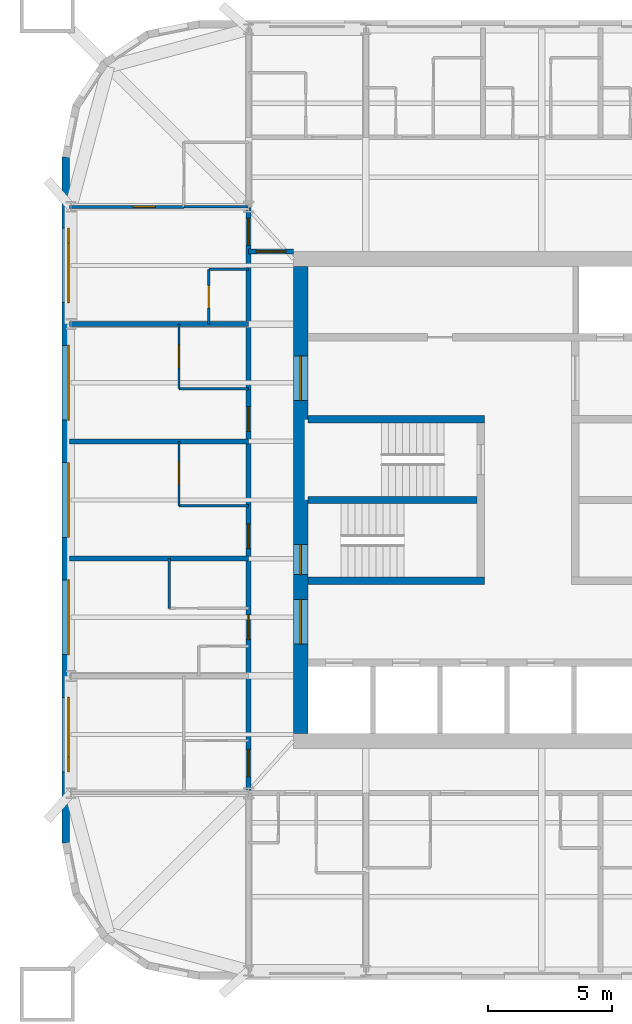
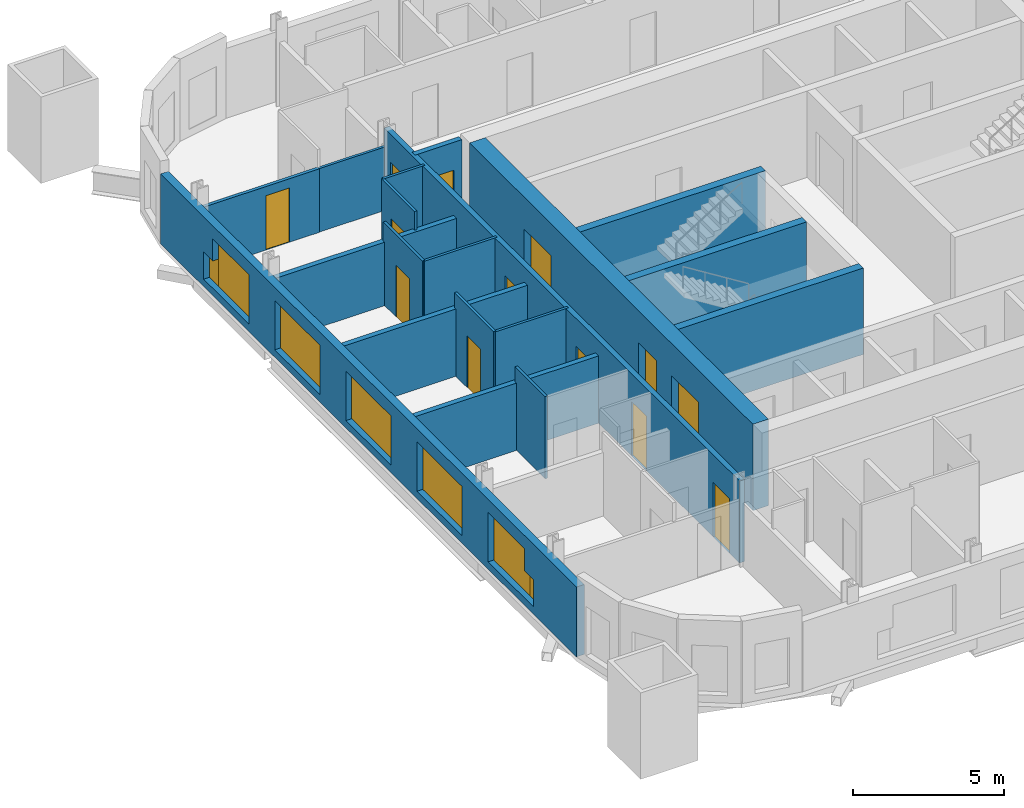
# One storey, part 4 of 9: 19 walls, 13 doors, 7 windows, 20 openings.
"""IFC4 building model written with IfcOpenShell, lengths in metres."""

import ifcopenshell
import ifcopenshell.guid

model = None  # the IFC model being written
_history = None  # IfcOwnerHistory: only IFC2X3 demands one
_inside = {}  # id of a spatial element -> (the spatial element, [elements in it])
_under = {}  # id of a project, library or spatial element -> (it, [spatial elements below it])
_declared = {}  # id of a project -> (the project, [libraries it declares])
_typed = {}  # id of a type object -> (the type object, [elements of that type])
_made_of = {}  # id of a material, layer set ... -> (it, [elements and type objects made of it])


def new_model(schema):
    """Start an empty IFC model of exactly this schema.

    Asked for "IFC4X3", IfcOpenShell would pick the latest addendum, in which some entities
    have other attributes; the version numbers below select the first issue.
    IFC2X3 requires an IfcOwnerHistory on every rooted entity: one is made here for all.
    """
    global model, _history
    if schema == "IFC4X3":
        model = ifcopenshell.file(schema_version=(4, 3, 0, 0))
    else:
        model = ifcopenshell.file(schema=schema)
    _inside.clear()
    _under.clear()
    _declared.clear()
    _typed.clear()
    _made_of.clear()
    _history = None
    if model.schema == "IFC2X3":
        org = make("IfcOrganization", Name="unknown")
        user = make(
            "IfcPersonAndOrganization",
            ThePerson=make("IfcPerson", FamilyName="unknown"),
            TheOrganization=org,
        )
        app = make(
            "IfcApplication",
            ApplicationDeveloper=org,
            Version="unknown",
            ApplicationFullName="unknown",
            ApplicationIdentifier="unknown",
        )
        _history = make(
            "IfcOwnerHistory",
            OwningUser=user,
            OwningApplication=app,
            ChangeAction="ADDED",
            CreationDate=0,
        )
    return model


def make(cls, **values):
    """One entity of the class cls with the attributes given. An attribute that is None is left unset."""
    return model.create_entity(
        cls, **{name: value for name, value in values.items() if value is not None}
    )


def rooted(cls, **values):
    """An entity with a GlobalId (a new one), such as an element, a storey or a relation."""
    return make(cls, GlobalId=ifcopenshell.guid.new(), OwnerHistory=_history, **values)


def si_unit(unit_type, name, prefix=None):
    """IfcSIUnit, for example si_unit("LENGTHUNIT", "METRE", prefix="MILLI")."""
    return make("IfcSIUnit", UnitType=unit_type, Prefix=prefix, Name=name)


def assignment(units):
    """IfcUnitAssignment: the units of a project."""
    return None if units is None else make("IfcUnitAssignment", Units=units)


def point(xyz):
    """IfcCartesianPoint."""
    return None if xyz is None else make("IfcCartesianPoint", Coordinates=xyz)


def direction(xyz):
    """IfcDirection."""
    return None if xyz is None else make("IfcDirection", DirectionRatios=xyz)


def frame(location, z_axis=None, x_axis=None):
    """IfcAxis2Placement3D, a coordinate frame: its origin and axes. An axis left out is left unset."""
    return make(
        "IfcAxis2Placement3D",
        Location=point(location),
        Axis=direction(z_axis),
        RefDirection=direction(x_axis),
    )


def frame_2d(location, x_axis=None):
    """IfcAxis2Placement2D, a coordinate frame in the plane: its origin and x axis."""
    return make(
        "IfcAxis2Placement2D", Location=point(location), RefDirection=direction(x_axis)
    )


def origin():
    """The frame at (0, 0, 0) with its axes left unset."""
    return frame((0.0, 0.0, 0.0))


def place(relative_to, where):
    """IfcLocalPlacement: puts the frame where relative to a parent placement (None: the world)."""
    return make(
        "IfcLocalPlacement", PlacementRelTo=relative_to, RelativePlacement=where
    )


def context(
    kind, dimensions, precision=None, world=None, true_north=None, identifier=None
):
    """IfcGeometricRepresentationContext, for example the 3D "Model" context."""
    return make(
        "IfcGeometricRepresentationContext",
        ContextIdentifier=identifier,
        ContextType=kind,
        CoordinateSpaceDimension=dimensions,
        Precision=precision,
        WorldCoordinateSystem=world,
        TrueNorth=true_north,
    )


def subcontext(parent, identifier, kind, view, scale=None):
    """IfcGeometricRepresentationSubContext, for example "Body" below "Model"."""
    return make(
        "IfcGeometricRepresentationSubContext",
        ContextIdentifier=identifier,
        ContextType=kind,
        ParentContext=parent,
        TargetScale=scale,
        TargetView=view,
    )


def project(units=None, contexts=None):
    """IfcProject with its units and contexts."""
    return rooted(
        "IfcProject",
        Name="project",
        RepresentationContexts=contexts,
        UnitsInContext=assignment(units),
    )


def spatial(cls, under=None, at=None, **own):
    """A site, building, storey or space (cls), placed at a placement, below another one or the project."""
    s = rooted(cls, ObjectPlacement=at, **own)
    if under is not None:
        _under.setdefault(under.id(), (under, []))[1].append(s)
    return s


def profile(cls, at=None, kind="AREA", **sizes):
    """A parametric profile (cls). Its sizes go by their IFC names, for example OverallWidth=200.0."""
    return make(cls, ProfileType=kind, Position=at, **sizes)


def rectangle(**sizes):
    """IfcRectangleProfileDef."""
    return profile("IfcRectangleProfileDef", **sizes)


def extrude(swept, where, along, depth):
    """IfcExtrudedAreaSolid: the profile swept, set in the frame where, extruded along a direction by depth."""
    return make(
        "IfcExtrudedAreaSolid",
        SweptArea=swept,
        Position=where,
        ExtrudedDirection=direction(along),
        Depth=depth,
    )


def shape(context_of_items, identifier, shape_type, items):
    """IfcShapeRepresentation: the items that make up one representation, for example the "Body"."""
    return make(
        "IfcShapeRepresentation",
        ContextOfItems=context_of_items,
        RepresentationIdentifier=identifier,
        RepresentationType=shape_type,
        Items=items,
    )


def material(Name=None, Category=None):
    """IfcMaterial."""
    return make("IfcMaterial", Name=Name, Category=Category)


def layer(
    of_material, thickness, ventilated=None, Name=None, Category=None, Priority=None
):
    """IfcMaterialLayer: one layer of a wall or slab, of a material (None: an air gap)."""
    return make(
        "IfcMaterialLayer",
        Material=of_material,
        LayerThickness=thickness,
        IsVentilated=ventilated,
        Name=Name,
        Category=Category,
        Priority=Priority,
    )


def layer_set(layers, Name=None):
    """IfcMaterialLayerSet."""
    return make("IfcMaterialLayerSet", MaterialLayers=layers, LayerSetName=Name)


def made_of(thing, what):
    """Note that an element or type object is made of a material, layer set ...; save() writes the relation."""
    if what is not None:
        _made_of.setdefault(what.id(), (what, []))[1].append(thing)
    return thing


def type_object(cls, material=None, **own):
    """A type object (cls), such as IfcWallType, which elements share."""
    return made_of(rooted(cls, **own), material)


def element(
    cls,
    number,
    at=None,
    inside=None,
    cuts=None,
    type_object=None,
    material=None,
    context=None,
    identifier="Body",
    shape_type=None,
    held_by="IfcProductDefinitionShape",
    body=None,
    shapes=None,
    **own,
):
    """One element of the class cls, such as IfcWall. Its Tag is "e" and its number.

    at: its placement. inside: the storey or other place that contains it. cuts: it is an
    opening in that element (IfcRelVoidsElement). A single representation is given by context,
    identifier, shape_type and body (its items); several are given by shapes. held_by: the class
    of the entity that holds the representations. save() writes the other relations.
    """
    e = rooted(cls, Tag="e%d" % number, ObjectPlacement=at, **own)
    if body is not None:
        shapes = [shape(context, identifier, shape_type, body)]
    if shapes is not None:
        e.Representation = make(held_by, Representations=shapes)
    if inside is not None:
        _inside.setdefault(inside.id(), (inside, []))[1].append(e)
    if cuts is not None:
        rooted(
            "IfcRelVoidsElement", RelatingBuildingElement=cuts, RelatedOpeningElement=e
        )
    if type_object is not None:
        _typed.setdefault(type_object.id(), (type_object, []))[1].append(e)
    return made_of(e, material)


def fill(opening, filler):
    """IfcRelFillsElement: the door or window that sits in an opening."""
    return rooted(
        "IfcRelFillsElement",
        RelatingOpeningElement=opening,
        RelatedBuildingElement=filler,
    )


def aggregate(whole, parts):
    """IfcRelAggregates: a whole, such as a stair, and the parts it consists of."""
    return rooted("IfcRelAggregates", RelatingObject=whole, RelatedObjects=parts)


def save(model, path):
    """Write the relations noted so far, then the file.

    IfcRelAggregates (storeys below a building ...), IfcRelContainedInSpatialStructure (elements
    in a storey), IfcRelDefinesByType, IfcRelAssociatesMaterial and IfcRelDeclares: one each for
    every whole, place, type object, material and project.
    """
    for whole, parts in _under.values():
        aggregate(whole, parts)
    for where, things in _inside.values():
        rooted(
            "IfcRelContainedInSpatialStructure",
            RelatedElements=things,
            RelatingStructure=where,
        )
    for kind, things in _typed.values():
        rooted("IfcRelDefinesByType", RelatedObjects=things, RelatingType=kind)
    for what, things in _made_of.values():
        rooted("IfcRelAssociatesMaterial", RelatedObjects=things, RelatingMaterial=what)
    for by, libraries in _declared.values():
        rooted("IfcRelDeclares", RelatingContext=by, RelatedDefinitions=libraries)
    model.write(path)


model = new_model("IFC4")

# Units and contexts
model_context = context("Model", 3, precision=1e-05, world=origin(), true_north=direction((0.0, 1.0)))
body_context = subcontext(model_context, "Body", "Model", "MODEL_VIEW")
ifc_project = project(units=[si_unit("LENGTHUNIT", "METRE"), si_unit("AREAUNIT", "SQUARE_METRE"), si_unit("VOLUMEUNIT", "CUBIC_METRE"), si_unit("PLANEANGLEUNIT", "RADIAN"), si_unit("MASSUNIT", "GRAM", prefix="KILO")], contexts=[model_context])

# Site, building, storey
site_placement = place(None, origin())
site = spatial("IfcSite", under=ifc_project, at=site_placement, CompositionType="ELEMENT")
building_placement = place(site_placement, origin())
building = spatial("IfcBuilding", under=site, at=building_placement, Name="Turquesa Mirador Hotel Tower", CompositionType="ELEMENT")
storey_placement = place(building_placement, frame((0.0, 0.0, 172.300048828125)))
storey = spatial("IfcBuildingStorey", under=building, at=storey_placement, Name="L46", CompositionType="ELEMENT", Elevation=172.300048828125)

# Walls
ifc_material_1 = material(Name="Gypsum board on steel studs", Category="steel")
ifc_layer_1 = layer(ifc_material_1, 0.10009765625)
ifc_layer_set_1 = layer_set([ifc_layer_1], Name="BATHROOM WALL 100")
wall_type_1 = type_object("IfcWallType", Name="BATHROOM WALL 100", PredefinedType="PARTITIONING", material=ifc_layer_set_1)
wall_1_placement = place(storey_placement, frame((40.39990234375, 44.760009765625, 0.0), z_axis=(0.0, 0.0, 1.0), x_axis=(1.0, 0.0, 0.0)))
element("IfcWall", 1, at=wall_1_placement, inside=storey, type_object=wall_type_1, Name="Partition L46 001", PredefinedType="PARTITIONING", context=body_context, shape_type="SweptSolid", body=[
    extrude(rectangle(XDim=2.800048828125, YDim=0.10009765625, at=frame_2d((1.39990234375, 0.0))), origin(), (0.0, 0.0, 1.0), 3.329833984375),
])
wall_2_placement = place(storey_placement, frame((40.60009765625, 56.800048828125, 0.0), z_axis=(0.0, 0.0, 1.0), x_axis=(1.0, 0.0, 0.0)))
element("IfcWall", 2, at=wall_2_placement, inside=storey, type_object=wall_type_1, Name="Partition L46 026", PredefinedType="PARTITIONING", context=body_context, shape_type="SweptSolid", body=[
    extrude(rectangle(XDim=2.599853515625, YDim=0.10009765625, at=frame_2d((1.2998046875, 0.0))), origin(), (0.0, 0.0, 1.0), 2.572998046875),
])
wall_3_placement = place(storey_placement, frame((40.39990234375, 49.47998046875, 0.0), z_axis=(0.0, 0.0, 1.0), x_axis=(1.0, 0.0, 0.0)))
element("IfcWall", 3, at=wall_3_placement, inside=storey, type_object=wall_type_1, Name="Partition L46 042", PredefinedType="PARTITIONING", context=body_context, shape_type="SweptSolid", body=[
    extrude(rectangle(XDim=2.800048828125, YDim=0.10009765625, at=frame_2d((1.39990234375, 0.0))), origin(), (0.0, 0.0, 1.0), 3.329833984375),
])
wall_4_placement = place(storey_placement, frame((41.60009765625, 54.280029296875, 0.0), z_axis=(0.0, 0.0, 1.0), x_axis=(1.0, 0.0, 0.0)))
element("IfcWall", 4, at=wall_4_placement, inside=storey, type_object=wall_type_1, Name="Partition L46 046", PredefinedType="PARTITIONING", context=body_context, shape_type="SweptSolid", body=[
    extrude(rectangle(XDim=1.599853515625, YDim=0.10009765625, at=frame_2d((0.7998046875, 0.0))), origin(), (0.0, 0.0, 1.0), 3.329833984375),
])

# Wall, opening, door
wall_5_placement = place(storey_placement, frame((41.60009765625, 52.080078125, 0.0), z_axis=(0.0, 0.0, 1.0), x_axis=(0.0, 1.0, 0.0)))
wall_5 = element("IfcWall", 5, at=wall_5_placement, inside=storey, type_object=wall_type_1, Name="Partition L46 053", PredefinedType="PARTITIONING", context=body_context, shape_type="SweptSolid", body=[
    extrude(rectangle(XDim=2.199951171875, YDim=0.10009765625, at=frame_2d((1.10009765625, 0.0))), origin(), (0.0, 0.0, 1.0), 3.329833984375),
])
opening_1_placement = place(wall_5_placement, frame((0.64990234375, 0.0, 0.0)))
opening_1 = element("IfcOpeningElement", 6, at=opening_1_placement, cuts=wall_5, Name="Opening D06", PredefinedType="OPENING", context=body_context, shape_type="SweptSolid", body=[
    extrude(rectangle(XDim=0.89990234375, YDim=2.10009765625, at=frame_2d((0.449951171875, 1.050048828125))), frame((0.0, 0.06005859375, 0.0), z_axis=(0.0, -1.0, 0.0), x_axis=(1.0, 0.0, 0.0)), (0.0, 0.0, 1.0), 0.1201171875),
])
ifc_material_2 = material(Name="Laminate door", Category="wood")
door_type_1 = type_object("IfcDoorType", Name="DOOR 900X2100 WC", OperationType="SINGLE_SWING_LEFT", PredefinedType="DOOR", material=ifc_material_2)
door_1_placement = place(opening_1_placement, origin())
door_1 = element("IfcDoor", 7, at=door_1_placement, inside=storey, type_object=door_type_1, Name="Door 4616W", OperationType="SINGLE_SWING_LEFT", OverallHeight=2.10009765625, OverallWidth=0.89990234375, PredefinedType="DOOR", context=body_context, shape_type="SweptSolid", body=[
    extrude(rectangle(XDim=0.89990234375, YDim=2.10009765625, at=frame_2d((0.449951171875, 1.050048828125))), frame((0.0, 0.02490234375, 0.0), z_axis=(0.0, -1.0, 0.0), x_axis=(1.0, 0.0, 0.0)), (0.0, 0.0, 1.0), 0.050048828125),
])
fill(opening_1, door_1)

wall_6_placement = place(storey_placement, frame((40.39990234375, 44.760009765625, 0.0), z_axis=(0.0, 0.0, 1.0), x_axis=(0.0, 1.0, 0.0)))
wall_6 = element("IfcWall", 8, at=wall_6_placement, inside=storey, type_object=wall_type_1, Name="Partition L46 058", PredefinedType="PARTITIONING", context=body_context, shape_type="SweptSolid", body=[
    extrude(rectangle(XDim=2.60009765625, YDim=0.10009765625, at=frame_2d((1.300048828125, 0.0))), origin(), (0.0, 0.0, 1.0), 3.329833984375),
])
opening_2_placement = place(wall_6_placement, frame((0.85009765625, 0.0, 0.0)))
opening_2 = element("IfcOpeningElement", 9, at=opening_2_placement, cuts=wall_6, Name="Opening D02", PredefinedType="OPENING", context=body_context, shape_type="SweptSolid", body=[
    extrude(rectangle(XDim=0.89990234375, YDim=2.10009765625, at=frame_2d((0.449951171875, 1.050048828125))), frame((0.0, 0.06005859375, 0.0), z_axis=(0.0, -1.0, 0.0), x_axis=(1.0, 0.0, 0.0)), (0.0, 0.0, 1.0), 0.1201171875),
])
ifc_material_3 = material(Name="Timber veneered door", Category="wood")
door_type_2 = type_object("IfcDoorType", Name="DOOR 900X2100 EN-SUITE", OperationType="SINGLE_SWING_RIGHT", PredefinedType="DOOR", material=ifc_material_3)
door_2_placement = place(opening_2_placement, origin())
door_2 = element("IfcDoor", 10, at=door_2_placement, inside=storey, type_object=door_type_2, Name="Door 4613B", OperationType="SINGLE_SWING_RIGHT", OverallHeight=2.10009765625, OverallWidth=0.89990234375, PredefinedType="DOOR", context=body_context, shape_type="SweptSolid", body=[
    extrude(rectangle(XDim=0.89990234375, YDim=2.10009765625, at=frame_2d((0.449951171875, 1.050048828125))), frame((0.0, 0.02490234375, 0.0), z_axis=(0.0, -1.0, 0.0), x_axis=(1.0, 0.0, 0.0)), (0.0, 0.0, 1.0), 0.050048828125),
])
fill(opening_2, door_2)

wall_7_placement = place(storey_placement, frame((40.39990234375, 49.47998046875, 0.0), z_axis=(0.0, 0.0, 1.0), x_axis=(0.0, 1.0, 0.0)))
wall_7 = element("IfcWall", 11, at=wall_7_placement, inside=storey, type_object=wall_type_1, Name="Partition L46 059", PredefinedType="PARTITIONING", context=body_context, shape_type="SweptSolid", body=[
    extrude(rectangle(XDim=2.60009765625, YDim=0.10009765625, at=frame_2d((1.300048828125, 0.0))), origin(), (0.0, 0.0, 1.0), 3.329833984375),
])
opening_3_placement = place(wall_7_placement, frame((0.85009765625, 0.0, 0.0)))
opening_3 = element("IfcOpeningElement", 12, at=opening_3_placement, cuts=wall_7, Name="Opening D02", PredefinedType="OPENING", context=body_context, shape_type="SweptSolid", body=[
    extrude(rectangle(XDim=0.89990234375, YDim=2.10009765625, at=frame_2d((0.449951171875, 1.050048828125))), frame((0.0, 0.06005859375, 0.0), z_axis=(0.0, -1.0, 0.0), x_axis=(1.0, 0.0, 0.0)), (0.0, 0.0, 1.0), 0.1201171875),
])
door_3_placement = place(opening_3_placement, origin())
door_3 = element("IfcDoor", 13, at=door_3_placement, inside=storey, type_object=door_type_2, Name="Door 4614B", OperationType="SINGLE_SWING_RIGHT", OverallHeight=2.10009765625, OverallWidth=0.89990234375, PredefinedType="DOOR", context=body_context, shape_type="SweptSolid", body=[
    extrude(rectangle(XDim=0.89990234375, YDim=2.10009765625, at=frame_2d((0.449951171875, 1.050048828125))), frame((0.0, 0.02490234375, 0.0), z_axis=(0.0, -1.0, 0.0), x_axis=(1.0, 0.0, 0.0)), (0.0, 0.0, 1.0), 0.050048828125),
])
fill(opening_3, door_3)

# Walls
wall_8_placement = place(storey_placement, frame((40.0, 40.639892578125, 0.0), z_axis=(0.0, 0.0, 1.0), x_axis=(0.0, 1.0, 0.0)))
element("IfcWall", 14, at=wall_8_placement, inside=storey, type_object=wall_type_1, Name="Partition L46 060", PredefinedType="PARTITIONING", context=body_context, shape_type="SweptSolid", body=[
    extrude(rectangle(XDim=2.0, YDim=0.10009765625, at=frame_2d((1.0, 0.0))), origin(), (0.0, 0.0, 1.0), 3.329833984375),
])
ifc_material_4 = material(Name="Concrete C50/60", Category="concrete")
ifc_layer_2 = layer(ifc_material_4, 0.300048828125)
ifc_layer_set_2 = layer_set([ifc_layer_2], Name="CORE INNER WALL 300")
wall_type_2 = type_object("IfcWallType", Name="CORE INNER WALL 300", PredefinedType="SHEAR", material=ifc_layer_set_2)
for number, where, z_axis, x_axis, name in (
    (15, (45.60009765625, 48.25, 0.0), (0.0, 0.0, 1.0), (1.0, 0.0, 0.0), "Core wall MN-W"),
    (16, (45.60009765625, 41.75, 0.0), (0.0, 0.0, 1.0), (1.0, 0.0, 0.0), "Core wall MS-W"),
):
    element("IfcWall", number, at=place(storey_placement, frame(where, z_axis=z_axis, x_axis=x_axis)), inside=storey, type_object=wall_type_2, Name=name, PredefinedType="SHEAR", context=body_context, shape_type="SweptSolid", body=[
        extrude(rectangle(XDim=7.099853515625, YDim=0.300048828125, at=frame_2d((3.5498046875, 0.0))), origin(), (0.0, 0.0, 1.0), 3.5),
    ])
wall_9_placement = place(storey_placement, frame((45.60009765625, 45.0, 0.0), z_axis=(0.0, 0.0, 1.0), x_axis=(1.0, 0.0, 0.0)))
element("IfcWall", 17, at=wall_9_placement, inside=storey, type_object=wall_type_2, Name="Core wall M0-W", PredefinedType="SHEAR", context=body_context, shape_type="SweptSolid", body=[
    extrude(rectangle(XDim=6.7998046875, YDim=0.300048828125, at=frame_2d((3.39990234375, 0.0))), origin(), (0.0, 0.0, 1.0), 3.5),
])

# Wall, openings, doors
ifc_material_5 = material(Name="Concrete C50/60", Category="concrete")
ifc_layer_3 = layer(ifc_material_5, 0.60009765625)
ifc_layer_set_3 = layer_set([ifc_layer_3], Name="CORE WALL 600")
wall_type_3 = type_object("IfcWallType", Name="CORE WALL 600", PredefinedType="SHEAR", material=ifc_layer_set_3)
wall_10_placement = place(storey_placement, frame((45.300048828125, 35.60009765625, 0.0), z_axis=(0.0, 0.0, 1.0), x_axis=(0.0, 1.0, 0.0)))
wall_10 = element("IfcWall", 18, at=wall_10_placement, inside=storey, type_object=wall_type_3, Name="Core wall W", PredefinedType="SHEAR", context=body_context, shape_type="SweptSolid", body=[
    extrude(rectangle(XDim=18.7998046875, YDim=0.60009765625, at=frame_2d((9.39990234375, 0.0))), origin(), (0.0, 0.0, 1.0), 3.5),
])
opening_4_placement = place(wall_10_placement, frame((13.39990234375, 0.0, 0.0)))
opening_4 = element("IfcOpeningElement", 19, at=opening_4_placement, cuts=wall_10, Name="Opening D04", PredefinedType="OPENING", context=body_context, shape_type="SweptSolid", body=[
    extrude(rectangle(XDim=1.800048828125, YDim=2.199951171875, at=frame_2d((0.89990234375, 1.10009765625))), frame((0.0, 0.31005859375, 0.0), z_axis=(0.0, -1.0, 0.0), x_axis=(1.0, 0.0, 0.0)), (0.0, 0.0, 1.0), 0.6201171875),
])
opening_5_placement = place(wall_10_placement, frame((3.60009765625, 0.0, 0.0)))
opening_5 = element("IfcOpeningElement", 20, at=opening_5_placement, cuts=wall_10, Name="Opening D04", PredefinedType="OPENING", context=body_context, shape_type="SweptSolid", body=[
    extrude(rectangle(XDim=1.800048828125, YDim=2.199951171875, at=frame_2d((0.89990234375, 1.10009765625))), frame((0.0, 0.31005859375, 0.0), z_axis=(0.0, -1.0, 0.0), x_axis=(1.0, 0.0, 0.0)), (0.0, 0.0, 1.0), 0.6201171875),
])
opening_6_placement = place(wall_10_placement, frame((6.39990234375, 0.0, 0.0)))
opening_6 = element("IfcOpeningElement", 21, at=opening_6_placement, cuts=wall_10, Name="Opening D03", PredefinedType="OPENING", context=body_context, shape_type="SweptSolid", body=[
    extrude(rectangle(XDim=1.199951171875, YDim=2.199951171875, at=frame_2d((0.60009765625, 1.10009765625))), frame((0.0, 0.31005859375, 0.0), z_axis=(0.0, -1.0, 0.0), x_axis=(1.0, 0.0, 0.0)), (0.0, 0.0, 1.0), 0.6201171875),
])
ifc_material_6 = material(Name="Steel fire door", Category="steel")
door_type_3 = type_object("IfcDoorType", Name="DOOR 1200X2200 STAIR", OperationType="SINGLE_SWING_LEFT", PredefinedType="DOOR", material=ifc_material_6)
door_4_placement = place(opening_6_placement, origin())
door_4 = element("IfcDoor", 22, at=door_4_placement, inside=storey, type_object=door_type_3, Name="Stair ST2 door", OperationType="SINGLE_SWING_LEFT", OverallHeight=2.199951171875, OverallWidth=1.199951171875, PredefinedType="DOOR", context=body_context, shape_type="SweptSolid", body=[
    extrude(rectangle(XDim=1.199951171875, YDim=2.199951171875, at=frame_2d((0.60009765625, 1.10009765625))), frame((0.0, 0.02490234375, 0.0), z_axis=(0.0, -1.0, 0.0), x_axis=(1.0, 0.0, 0.0)), (0.0, 0.0, 1.0), 0.050048828125),
])
fill(opening_6, door_4)
ifc_material_7 = material(Name="Steel fire door pair", Category="steel")
door_type_4 = type_object("IfcDoorType", Name="DOOR 1800X2200 PAIR", OperationType="DOUBLE_DOOR_SINGLE_SWING", PredefinedType="DOOR", material=ifc_material_7)
door_5_placement = place(opening_4_placement, origin())
door_5 = element("IfcDoor", 23, at=door_5_placement, inside=storey, type_object=door_type_4, Name="North lift lobby door", OperationType="DOUBLE_DOOR_SINGLE_SWING", OverallHeight=2.199951171875, OverallWidth=1.800048828125, PredefinedType="DOOR", context=body_context, shape_type="SweptSolid", body=[
    extrude(rectangle(XDim=1.800048828125, YDim=2.199951171875, at=frame_2d((0.89990234375, 1.10009765625))), frame((0.0, 0.02490234375, 0.0), z_axis=(0.0, -1.0, 0.0), x_axis=(1.0, 0.0, 0.0)), (0.0, 0.0, 1.0), 0.050048828125),
])
fill(opening_4, door_5)
door_6_placement = place(opening_5_placement, origin())
door_6 = element("IfcDoor", 24, at=door_6_placement, inside=storey, type_object=door_type_4, Name="South lift lobby door", OperationType="DOUBLE_DOOR_SINGLE_SWING", OverallHeight=2.199951171875, OverallWidth=1.800048828125, PredefinedType="DOOR", context=body_context, shape_type="SweptSolid", body=[
    extrude(rectangle(XDim=1.800048828125, YDim=2.199951171875, at=frame_2d((0.89990234375, 1.10009765625))), frame((0.0, 0.02490234375, 0.0), z_axis=(0.0, -1.0, 0.0), x_axis=(1.0, 0.0, 0.0)), (0.0, 0.0, 1.0), 0.050048828125),
])
fill(opening_5, door_6)

# Wall, opening, door
ifc_material_8 = material(Name="Fire-rated gypsum board on steel studs", Category="steel")
ifc_layer_4 = layer(ifc_material_8, 0.199951171875)
ifc_layer_set_4 = layer_set([ifc_layer_4], Name="CORRIDOR WALL 200")
wall_type_4 = type_object("IfcWallType", Name="CORRIDOR WALL 200", PredefinedType="PARTITIONING", material=ifc_layer_set_4)
wall_11_placement = place(storey_placement, frame((43.199951171875, 55.0, 0.0), z_axis=(0.0, 0.0, 1.0), x_axis=(1.0, 0.0, 0.0)))
wall_11 = element("IfcWall", 25, at=wall_11_placement, inside=storey, type_object=wall_type_4, Name="Partition L46 024", PredefinedType="PARTITIONING", context=body_context, shape_type="SweptSolid", body=[
    extrude(rectangle(XDim=1.800048828125, YDim=0.199951171875, at=frame_2d((0.89990234375, 0.0))), origin(), (0.0, 0.0, 1.0), 3.329833984375),
])
opening_7_placement = place(wall_11_placement, frame((0.300048828125, 0.0, 0.0)))
opening_7 = element("IfcOpeningElement", 26, at=opening_7_placement, cuts=wall_11, Name="Opening D19", PredefinedType="OPENING", context=body_context, shape_type="SweptSolid", body=[
    extrude(rectangle(XDim=1.199951171875, YDim=2.199951171875, at=frame_2d((0.60009765625, 1.10009765625))), frame((0.0, 0.10986328125, 0.0), z_axis=(0.0, -1.0, 0.0), x_axis=(1.0, 0.0, 0.0)), (0.0, 0.0, 1.0), 0.219970703125),
])
ifc_material_9 = material(Name="Steel glazed fire door", Category="steel")
door_type_5 = type_object("IfcDoorType", Name="DOOR 1200X2200 FIRE DOOR GLAZED", OperationType="SINGLE_SWING_LEFT", PredefinedType="DOOR", material=ifc_material_9)
door_7_placement = place(opening_7_placement, origin())
door_7 = element("IfcDoor", 27, at=door_7_placement, inside=storey, type_object=door_type_5, Name="Door L46-C03", OperationType="SINGLE_SWING_LEFT", OverallHeight=2.199951171875, OverallWidth=1.199951171875, PredefinedType="DOOR", context=body_context, shape_type="SweptSolid", body=[
    extrude(rectangle(XDim=1.199951171875, YDim=2.199951171875, at=frame_2d((0.60009765625, 1.10009765625))), frame((0.0, 0.02490234375, 0.0), z_axis=(0.0, -1.0, 0.0), x_axis=(1.0, 0.0, 0.0)), (0.0, 0.0, 1.0), 0.050048828125),
])
fill(opening_7, door_7)

# Wall, openings, doors
wall_12_placement = place(storey_placement, frame((43.199951171875, 33.199951171875, 0.0), z_axis=(0.0, 0.0, 1.0), x_axis=(0.0, 1.0, 0.0)))
wall_12 = element("IfcWall", 28, at=wall_12_placement, inside=storey, type_object=wall_type_4, Name="Partition L46 050", PredefinedType="PARTITIONING", context=body_context, shape_type="SweptSolid", body=[
    extrude(rectangle(XDim=23.580078125, YDim=0.199951171875, at=frame_2d((11.7900390625, 0.0))), origin(), (0.0, 0.0, 1.0), 3.329833984375),
])
opening_8_placement = place(wall_12_placement, frame((6.179931640625, 0.0, 0.0)))
opening_8 = element("IfcOpeningElement", 29, at=opening_8_placement, cuts=wall_12, Name="Opening D01", PredefinedType="OPENING", context=body_context, shape_type="SweptSolid", body=[
    extrude(rectangle(XDim=1.0, YDim=2.199951171875, at=frame_2d((0.5, 1.10009765625))), frame((0.0, 0.10986328125, 0.0), z_axis=(0.0, -1.0, 0.0), x_axis=(1.0, 0.0, 0.0)), (0.0, 0.0, 1.0), 0.219970703125),
])
opening_9_placement = place(wall_12_placement, frame((9.840087890625, 0.0, 0.0)))
opening_9 = element("IfcOpeningElement", 30, at=opening_9_placement, cuts=wall_12, Name="Opening D01", PredefinedType="OPENING", context=body_context, shape_type="SweptSolid", body=[
    extrude(rectangle(XDim=1.0, YDim=2.199951171875, at=frame_2d((0.5, 1.10009765625))), frame((0.0, 0.10986328125, 0.0), z_axis=(0.0, -1.0, 0.0), x_axis=(1.0, 0.0, 0.0)), (0.0, 0.0, 1.0), 0.219970703125),
])
opening_10_placement = place(wall_12_placement, frame((14.56005859375, 0.0, 0.0)))
opening_10 = element("IfcOpeningElement", 31, at=opening_10_placement, cuts=wall_12, Name="Opening D01", PredefinedType="OPENING", context=body_context, shape_type="SweptSolid", body=[
    extrude(rectangle(XDim=1.0, YDim=2.199951171875, at=frame_2d((0.5, 1.10009765625))), frame((0.0, 0.10986328125, 0.0), z_axis=(0.0, -1.0, 0.0), x_axis=(1.0, 0.0, 0.0)), (0.0, 0.0, 1.0), 0.219970703125),
])
opening_11_placement = place(wall_12_placement, frame((22.050048828125, 0.0, 0.0)))
opening_11 = element("IfcOpeningElement", 32, at=opening_11_placement, cuts=wall_12, Name="Opening D15", PredefinedType="OPENING", context=body_context, shape_type="SweptSolid", body=[
    extrude(rectangle(XDim=1.10009765625, YDim=2.199951171875, at=frame_2d((0.550048828125, 1.10009765625))), frame((0.0, 0.10986328125, 0.0), z_axis=(0.0, -1.0, 0.0), x_axis=(1.0, 0.0, 0.0)), (0.0, 0.0, 1.0), 0.219970703125),
])
opening_12_placement = place(wall_12_placement, frame((0.659912109375, 0.0, 0.0)))
opening_12 = element("IfcOpeningElement", 33, at=opening_12_placement, cuts=wall_12, Name="Opening D15", PredefinedType="OPENING", context=body_context, shape_type="SweptSolid", body=[
    extrude(rectangle(XDim=1.10009765625, YDim=2.199951171875, at=frame_2d((0.550048828125, 1.10009765625))), frame((0.0, 0.10986328125, 0.0), z_axis=(0.0, -1.0, 0.0), x_axis=(1.0, 0.0, 0.0)), (0.0, 0.0, 1.0), 0.219970703125),
])
ifc_material_10 = material(Name="Timber veneered fire door", Category="wood")
door_type_6 = type_object("IfcDoorType", Name="DOOR 1000X2200 GUEST ENTRY", OperationType="SINGLE_SWING_LEFT", PredefinedType="DOOR", material=ifc_material_10)
door_8_placement = place(opening_8_placement, origin())
door_8 = element("IfcDoor", 34, at=door_8_placement, inside=storey, type_object=door_type_6, Name="Door 4612", OperationType="SINGLE_SWING_LEFT", OverallHeight=2.199951171875, OverallWidth=1.0, PredefinedType="DOOR", context=body_context, shape_type="SweptSolid", body=[
    extrude(rectangle(XDim=1.0, YDim=2.199951171875, at=frame_2d((0.5, 1.10009765625))), frame((0.0, 0.02490234375, 0.0), z_axis=(0.0, -1.0, 0.0), x_axis=(1.0, 0.0, 0.0)), (0.0, 0.0, 1.0), 0.050048828125),
])
fill(opening_8, door_8)
door_9_placement = place(opening_9_placement, origin())
door_9 = element("IfcDoor", 35, at=door_9_placement, inside=storey, type_object=door_type_6, Name="Door 4613", OperationType="SINGLE_SWING_LEFT", OverallHeight=2.199951171875, OverallWidth=1.0, PredefinedType="DOOR", context=body_context, shape_type="SweptSolid", body=[
    extrude(rectangle(XDim=1.0, YDim=2.199951171875, at=frame_2d((0.5, 1.10009765625))), frame((0.0, 0.02490234375, 0.0), z_axis=(0.0, -1.0, 0.0), x_axis=(1.0, 0.0, 0.0)), (0.0, 0.0, 1.0), 0.050048828125),
])
fill(opening_9, door_9)
door_10_placement = place(opening_10_placement, origin())
door_10 = element("IfcDoor", 36, at=door_10_placement, inside=storey, type_object=door_type_6, Name="Door 4614", OperationType="SINGLE_SWING_LEFT", OverallHeight=2.199951171875, OverallWidth=1.0, PredefinedType="DOOR", context=body_context, shape_type="SweptSolid", body=[
    extrude(rectangle(XDim=1.0, YDim=2.199951171875, at=frame_2d((0.5, 1.10009765625))), frame((0.0, 0.02490234375, 0.0), z_axis=(0.0, -1.0, 0.0), x_axis=(1.0, 0.0, 0.0)), (0.0, 0.0, 1.0), 0.050048828125),
])
fill(opening_10, door_10)
ifc_material_11 = material(Name="Timber veneered fire door", Category="wood")
door_type_7 = type_object("IfcDoorType", Name="DOOR 1100X2200 SUITE ENTRY", OperationType="SINGLE_SWING_LEFT", PredefinedType="DOOR", material=ifc_material_11)
door_11_placement = place(opening_11_placement, origin())
door_11 = element("IfcDoor", 37, at=door_11_placement, inside=storey, type_object=door_type_7, Name="Door 4616", OperationType="SINGLE_SWING_LEFT", OverallHeight=2.199951171875, OverallWidth=1.10009765625, PredefinedType="DOOR", context=body_context, shape_type="SweptSolid", body=[
    extrude(rectangle(XDim=1.10009765625, YDim=2.199951171875, at=frame_2d((0.550048828125, 1.10009765625))), frame((0.0, 0.02490234375, 0.0), z_axis=(0.0, -1.0, 0.0), x_axis=(1.0, 0.0, 0.0)), (0.0, 0.0, 1.0), 0.050048828125),
])
fill(opening_11, door_11)
door_12_placement = place(opening_12_placement, origin())
door_12 = element("IfcDoor", 38, at=door_12_placement, inside=storey, type_object=door_type_7, Name="Door 4617H", OperationType="SINGLE_SWING_LEFT", OverallHeight=2.199951171875, OverallWidth=1.10009765625, PredefinedType="DOOR", context=body_context, shape_type="SweptSolid", body=[
    extrude(rectangle(XDim=1.10009765625, YDim=2.199951171875, at=frame_2d((0.550048828125, 1.10009765625))), frame((0.0, 0.02490234375, 0.0), z_axis=(0.0, -1.0, 0.0), x_axis=(1.0, 0.0, 0.0)), (0.0, 0.0, 1.0), 0.050048828125),
])
fill(opening_12, door_12)

# Wall, openings, windows
ifc_material_12 = material(Name="Limestone cladding on concrete block", Category="masonry")
ifc_layer_5 = layer(ifc_material_12, 0.300048828125)
ifc_layer_set_5 = layer_set([ifc_layer_5], Name="FACADE WALL 300 STONE SCREEN")
wall_type_5 = type_object("IfcWallType", Name="FACADE WALL 300 STONE SCREEN", PredefinedType="SOLIDWALL", material=ifc_layer_set_5)
wall_13_placement = place(storey_placement, frame((35.85009765625, 58.800048828125, 0.0), z_axis=(0.0, 0.0, 1.0), x_axis=(0.0, -1.0, 0.0)))
wall_13 = element("IfcWall", 39, at=wall_13_placement, inside=storey, type_object=wall_type_5, Name="Facade wall L46 14", PredefinedType="SOLIDWALL", context=body_context, shape_type="SweptSolid", body=[
    extrude(rectangle(XDim=27.60009765625, YDim=0.300048828125, at=frame_2d((13.800048828125, 0.0))), origin(), (0.0, 0.0, 1.0), 2.829833984375),
])
opening_13_placement = place(wall_13_placement, frame((3.4599609375, 0.0, 0.300048828125)))
opening_13 = element("IfcOpeningElement", 40, at=opening_13_placement, cuts=wall_13, Name="Opening WN2", PredefinedType="OPENING", context=body_context, shape_type="SweptSolid", body=[
    extrude(rectangle(XDim=2.39990234375, YDim=2.0, at=frame_2d((1.199951171875, 1.0))), frame((0.0, 0.159912109375, 0.0), z_axis=(0.0, -1.0, 0.0), x_axis=(1.0, 0.0, 0.0)), (0.0, 0.0, 1.0), 0.320068359375),
])
opening_14_placement = place(wall_13_placement, frame((7.580078125, 0.0, 0.300048828125)))
opening_14 = element("IfcOpeningElement", 41, at=opening_14_placement, cuts=wall_13, Name="Opening WN1", PredefinedType="OPENING", context=body_context, shape_type="SweptSolid", body=[
    extrude(rectangle(XDim=3.0, YDim=2.0, at=frame_2d((1.5, 1.0))), frame((0.0, 0.159912109375, 0.0), z_axis=(0.0, -1.0, 0.0), x_axis=(1.0, 0.0, 0.0)), (0.0, 0.0, 1.0), 0.320068359375),
])
opening_15_placement = place(wall_13_placement, frame((12.300048828125, 0.0, 0.300048828125)))
opening_15 = element("IfcOpeningElement", 42, at=opening_15_placement, cuts=wall_13, Name="Opening WN1", PredefinedType="OPENING", context=body_context, shape_type="SweptSolid", body=[
    extrude(rectangle(XDim=3.0, YDim=2.0, at=frame_2d((1.5, 1.0))), frame((0.0, 0.159912109375, 0.0), z_axis=(0.0, -1.0, 0.0), x_axis=(1.0, 0.0, 0.0)), (0.0, 0.0, 1.0), 0.320068359375),
])
opening_16_placement = place(wall_13_placement, frame((17.02001953125, 0.0, 0.300048828125)))
opening_16 = element("IfcOpeningElement", 43, at=opening_16_placement, cuts=wall_13, Name="Opening WN1", PredefinedType="OPENING", context=body_context, shape_type="SweptSolid", body=[
    extrude(rectangle(XDim=3.0, YDim=2.0, at=frame_2d((1.5, 1.0))), frame((0.0, 0.159912109375, 0.0), z_axis=(0.0, -1.0, 0.0), x_axis=(1.0, 0.0, 0.0)), (0.0, 0.0, 1.0), 0.320068359375),
])
opening_17_placement = place(wall_13_placement, frame((21.739990234375, 0.0, 0.300048828125)))
opening_17 = element("IfcOpeningElement", 44, at=opening_17_placement, cuts=wall_13, Name="Opening WN2", PredefinedType="OPENING", context=body_context, shape_type="SweptSolid", body=[
    extrude(rectangle(XDim=2.39990234375, YDim=2.0, at=frame_2d((1.199951171875, 1.0))), frame((0.0, 0.159912109375, 0.0), z_axis=(0.0, -1.0, 0.0), x_axis=(1.0, 0.0, 0.0)), (0.0, 0.0, 1.0), 0.320068359375),
])
opening_18_placement = place(wall_13_placement, frame((2.860107421875, 0.0, 0.300048828125)))
opening_18 = element("IfcOpeningElement", 45, at=opening_18_placement, cuts=wall_13, Name="Opening WN30", PredefinedType="OPENING", context=body_context, shape_type="SweptSolid", body=[
    extrude(rectangle(XDim=0.60009765625, YDim=1.10009765625, at=frame_2d((0.300048828125, 0.550048828125))), frame((0.0, 0.159912109375, 0.0), z_axis=(0.0, -1.0, 0.0), x_axis=(1.0, 0.0, 0.0)), (0.0, 0.0, 1.0), 0.320068359375),
])
opening_19_placement = place(wall_13_placement, frame((24.139892578125, 0.0, 0.300048828125)))
opening_19 = element("IfcOpeningElement", 46, at=opening_19_placement, cuts=wall_13, Name="Opening WN30", PredefinedType="OPENING", context=body_context, shape_type="SweptSolid", body=[
    extrude(rectangle(XDim=0.60009765625, YDim=1.10009765625, at=frame_2d((0.300048828125, 0.550048828125))), frame((0.0, 0.159912109375, 0.0), z_axis=(0.0, -1.0, 0.0), x_axis=(1.0, 0.0, 0.0)), (0.0, 0.0, 1.0), 0.320068359375),
])
ifc_material_13 = material(Name="Ceramic-fritted laminated glass", Category="glass")
window_type_1 = type_object("IfcWindowType", Name="FRITTED WINDOW 2400X2000", PartitioningType="DOUBLE_PANEL_HORIZONTAL", PredefinedType="WINDOW", material=ifc_material_13)
window_1_placement = place(opening_13_placement, origin())
window_1 = element("IfcWindow", 47, at=window_1_placement, inside=storey, type_object=window_type_1, Name="Window L46", OverallHeight=2.0, OverallWidth=2.39990234375, PartitioningType="SINGLE_PANEL", PredefinedType="WINDOW", context=body_context, shape_type="SweptSolid", body=[
    extrude(rectangle(XDim=2.39990234375, YDim=2.0, at=frame_2d((1.199951171875, 1.0))), frame((0.0, 0.130126953125, 0.0), z_axis=(0.0, -1.0, 0.0), x_axis=(1.0, 0.0, 0.0)), (0.0, 0.0, 1.0), 0.06005859375),
])
fill(opening_13, window_1)
window_2_placement = place(opening_17_placement, origin())
window_2 = element("IfcWindow", 48, at=window_2_placement, inside=storey, type_object=window_type_1, Name="Window L46", OverallHeight=2.0, OverallWidth=2.39990234375, PartitioningType="SINGLE_PANEL", PredefinedType="WINDOW", context=body_context, shape_type="SweptSolid", body=[
    extrude(rectangle(XDim=2.39990234375, YDim=2.0, at=frame_2d((1.199951171875, 1.0))), frame((0.0, 0.130126953125, 0.0), z_axis=(0.0, -1.0, 0.0), x_axis=(1.0, 0.0, 0.0)), (0.0, 0.0, 1.0), 0.06005859375),
])
fill(opening_17, window_2)
ifc_material_14 = material(Name="Ceramic-fritted laminated glass", Category="glass")
window_type_2 = type_object("IfcWindowType", Name="FRITTED WINDOW 3000X2000", PartitioningType="DOUBLE_PANEL_HORIZONTAL", PredefinedType="WINDOW", material=ifc_material_14)
window_3_placement = place(opening_14_placement, origin())
window_3 = element("IfcWindow", 49, at=window_3_placement, inside=storey, type_object=window_type_2, Name="Window L46", OverallHeight=2.0, OverallWidth=3.0, PartitioningType="SINGLE_PANEL", PredefinedType="WINDOW", context=body_context, shape_type="SweptSolid", body=[
    extrude(rectangle(XDim=3.0, YDim=2.0, at=frame_2d((1.5, 1.0))), frame((0.0, 0.130126953125, 0.0), z_axis=(0.0, -1.0, 0.0), x_axis=(1.0, 0.0, 0.0)), (0.0, 0.0, 1.0), 0.06005859375),
])
fill(opening_14, window_3)
window_4_placement = place(opening_15_placement, origin())
window_4 = element("IfcWindow", 50, at=window_4_placement, inside=storey, type_object=window_type_2, Name="Window L46", OverallHeight=2.0, OverallWidth=3.0, PartitioningType="SINGLE_PANEL", PredefinedType="WINDOW", context=body_context, shape_type="SweptSolid", body=[
    extrude(rectangle(XDim=3.0, YDim=2.0, at=frame_2d((1.5, 1.0))), frame((0.0, 0.130126953125, 0.0), z_axis=(0.0, -1.0, 0.0), x_axis=(1.0, 0.0, 0.0)), (0.0, 0.0, 1.0), 0.06005859375),
])
fill(opening_15, window_4)
window_5_placement = place(opening_16_placement, origin())
window_5 = element("IfcWindow", 51, at=window_5_placement, inside=storey, type_object=window_type_2, Name="Window L46", OverallHeight=2.0, OverallWidth=3.0, PartitioningType="SINGLE_PANEL", PredefinedType="WINDOW", context=body_context, shape_type="SweptSolid", body=[
    extrude(rectangle(XDim=3.0, YDim=2.0, at=frame_2d((1.5, 1.0))), frame((0.0, 0.130126953125, 0.0), z_axis=(0.0, -1.0, 0.0), x_axis=(1.0, 0.0, 0.0)), (0.0, 0.0, 1.0), 0.06005859375),
])
fill(opening_16, window_5)
ifc_material_15 = material(Name="Ceramic-fritted laminated glass", Category="glass")
window_type_3 = type_object("IfcWindowType", Name="FRITTED WINDOW 600X1100", PartitioningType="DOUBLE_PANEL_HORIZONTAL", PredefinedType="WINDOW", material=ifc_material_15)
window_6_placement = place(opening_18_placement, origin())
window_6 = element("IfcWindow", 52, at=window_6_placement, inside=storey, type_object=window_type_3, Name="Window L46", OverallHeight=1.10009765625, OverallWidth=0.60009765625, PartitioningType="SINGLE_PANEL", PredefinedType="WINDOW", context=body_context, shape_type="SweptSolid", body=[
    extrude(rectangle(XDim=0.60009765625, YDim=1.10009765625, at=frame_2d((0.300048828125, 0.550048828125))), frame((0.0, 0.130126953125, 0.0), z_axis=(0.0, -1.0, 0.0), x_axis=(1.0, 0.0, 0.0)), (0.0, 0.0, 1.0), 0.06005859375),
])
fill(opening_18, window_6)
window_7_placement = place(opening_19_placement, origin())
window_7 = element("IfcWindow", 53, at=window_7_placement, inside=storey, type_object=window_type_3, Name="Window L46", OverallHeight=1.10009765625, OverallWidth=0.60009765625, PartitioningType="SINGLE_PANEL", PredefinedType="WINDOW", context=body_context, shape_type="SweptSolid", body=[
    extrude(rectangle(XDim=0.60009765625, YDim=1.10009765625, at=frame_2d((0.300048828125, 0.550048828125))), frame((0.0, 0.130126953125, 0.0), z_axis=(0.0, -1.0, 0.0), x_axis=(1.0, 0.0, 0.0)), (0.0, 0.0, 1.0), 0.06005859375),
])
fill(opening_19, window_7)

# Walls
ifc_material_16 = material(Name="Fire-rated gypsum board on steel studs", Category="steel")
ifc_layer_6 = layer(ifc_material_16, 0.199951171875)
ifc_layer_set_6 = layer_set([ifc_layer_6], Name="PARTY WALL 200")
wall_type_6 = type_object("IfcWallType", Name="PARTY WALL 200", PredefinedType="PARTITIONING", material=ifc_layer_set_6)
for number, where, z_axis, x_axis, name in (
    (54, (36.0, 42.639892578125, 0.0), (0.0, 0.0, 1.0), (1.0, 0.0, 0.0), "Partition L46 014"),
    (55, (36.0, 47.360107421875, 0.0), (0.0, 0.0, 1.0), (1.0, 0.0, 0.0), "Partition L46 039"),
):
    element("IfcWall", number, at=place(storey_placement, frame(where, z_axis=z_axis, x_axis=x_axis)), inside=storey, type_object=wall_type_6, Name=name, PredefinedType="PARTITIONING", context=body_context, shape_type="SweptSolid", body=[
        extrude(rectangle(XDim=7.199951171875, YDim=0.199951171875, at=frame_2d((3.60009765625, 0.0))), origin(), (0.0, 0.0, 1.0), 2.73046875),
    ])
wall_14_placement = place(storey_placement, frame((36.0, 52.080078125, 0.0), z_axis=(0.0, 0.0, 1.0), x_axis=(1.0, 0.0, 0.0)))
element("IfcWall", 56, at=wall_14_placement, inside=storey, type_object=wall_type_6, Name="Partition L46 044", PredefinedType="PARTITIONING", context=body_context, shape_type="SweptSolid", body=[
    extrude(rectangle(XDim=7.199951171875, YDim=0.199951171875, at=frame_2d((3.60009765625, 0.0))), origin(), (0.0, 0.0, 1.0), 2.572998046875),
])

# Wall, opening, door
ifc_material_17 = material(Name="Acoustic gypsum board on steel studs", Category="steel")
ifc_layer_7 = layer(ifc_material_17, 0.125)
ifc_layer_set_7 = layer_set([ifc_layer_7], Name="SUITE PARTITION 125")
wall_type_7 = type_object("IfcWallType", Name="SUITE PARTITION 125", PredefinedType="PARTITIONING", material=ifc_layer_set_7)
wall_15_placement = place(storey_placement, frame((36.0, 56.800048828125, 0.0), z_axis=(0.0, 0.0, 1.0), x_axis=(1.0, 0.0, 0.0)))
wall_15 = element("IfcWall", 57, at=wall_15_placement, inside=storey, type_object=wall_type_7, Name="Partition L46 027", PredefinedType="PARTITIONING", context=body_context, shape_type="SweptSolid", body=[
    extrude(rectangle(XDim=4.60009765625, YDim=0.125, at=frame_2d((2.300048828125, 0.0))), origin(), (0.0, 0.0, 1.0), 2.572998046875),
])
opening_20_placement = place(wall_15_placement, frame((2.550048828125, 0.0, 0.0)))
opening_20 = element("IfcOpeningElement", 58, at=opening_20_placement, cuts=wall_15, Name="Opening D17", PredefinedType="OPENING", context=body_context, shape_type="SweptSolid", body=[
    extrude(rectangle(XDim=0.89990234375, YDim=2.199951171875, at=frame_2d((0.449951171875, 1.10009765625))), frame((0.0, 0.072509765625, 0.0), z_axis=(0.0, -1.0, 0.0), x_axis=(1.0, 0.0, 0.0)), (0.0, 0.0, 1.0), 0.14501953125),
])
ifc_material_18 = material(Name="Timber veneered door", Category="wood")
door_type_8 = type_object("IfcDoorType", Name="DOOR 900X2200 SUITE INTERNAL", OperationType="SINGLE_SWING_LEFT", PredefinedType="DOOR", material=ifc_material_18)
door_13_placement = place(opening_20_placement, origin())
door_13 = element("IfcDoor", 59, at=door_13_placement, inside=storey, type_object=door_type_8, Name="Door 4616R", OperationType="SINGLE_SWING_LEFT", OverallHeight=2.199951171875, OverallWidth=0.89990234375, PredefinedType="DOOR", context=body_context, shape_type="SweptSolid", body=[
    extrude(rectangle(XDim=0.89990234375, YDim=2.199951171875, at=frame_2d((0.449951171875, 1.10009765625))), frame((0.0, 0.02490234375, 0.0), z_axis=(0.0, -1.0, 0.0), x_axis=(1.0, 0.0, 0.0)), (0.0, 0.0, 1.0), 0.050048828125),
])
fill(opening_20, door_13)

save(model, "model.ifc")
